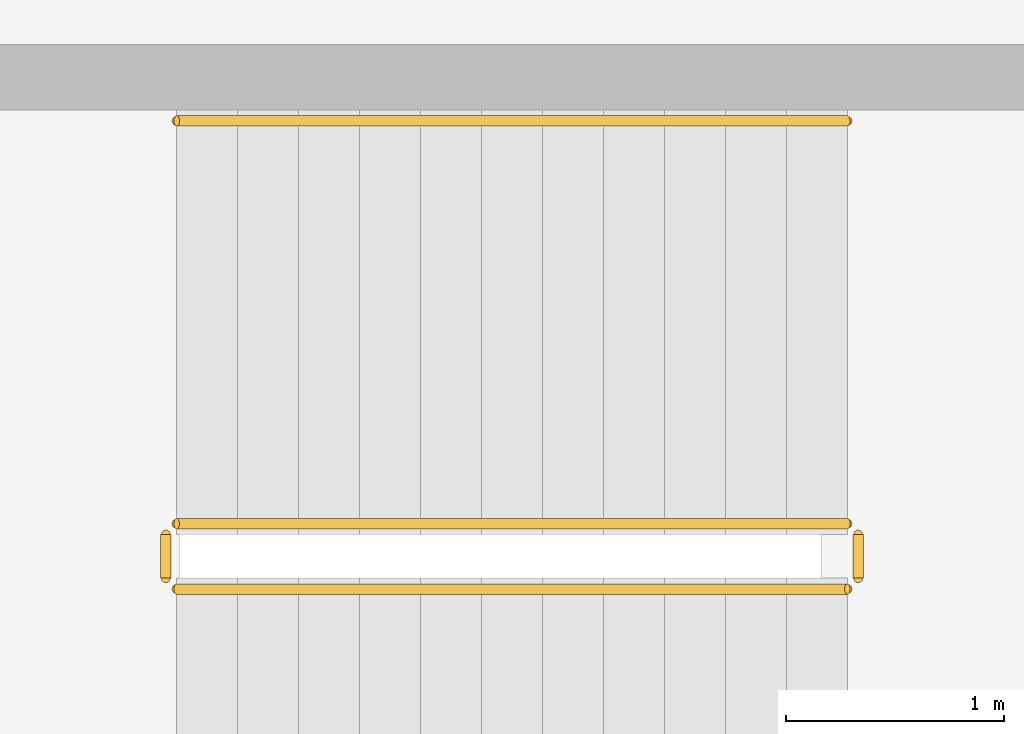
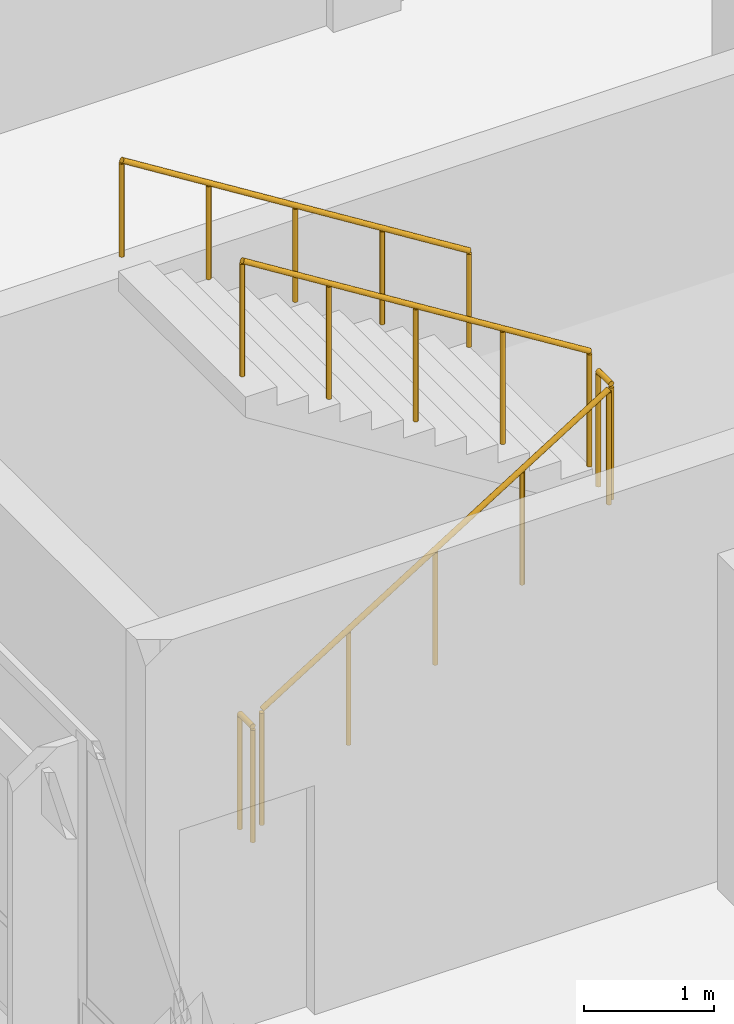
# One storey, part 107 of 107: 5 railings.
"""IFC4 building model written with IfcOpenShell, lengths in metres."""

from ifc_helpers import new_model, si_unit, direction, frame, origin, origin_2d, place, context, subcontext, project, spatial, circle, extrude, material, layer, layer_set, type_object, element, save


model = new_model("IFC4")

# Units and contexts
model_context = context("Model", 3, precision=1e-05, world=origin(), true_north=direction((0.0, 1.0)))
body_context = subcontext(model_context, "Body", "Model", "MODEL_VIEW")
ifc_project = project(units=[si_unit("LENGTHUNIT", "METRE"), si_unit("AREAUNIT", "SQUARE_METRE"), si_unit("VOLUMEUNIT", "CUBIC_METRE"), si_unit("PLANEANGLEUNIT", "RADIAN"), si_unit("MASSUNIT", "GRAM", prefix="KILO")], contexts=[model_context])

# Site, building, storey
site_placement = place(None, origin())
site = spatial("IfcSite", under=ifc_project, at=site_placement, CompositionType="ELEMENT")
building_placement = place(site_placement, origin())
building = spatial("IfcBuilding", under=site, at=building_placement, Name="Chiffa Square Polytechnic", CompositionType="ELEMENT")
storey_placement = place(building_placement, frame((0.0, 0.0, 13.800048828125)))
storey = spatial("IfcBuildingStorey", under=building, at=storey_placement, Name="L03", CompositionType="ELEMENT", Elevation=13.800048828125)

# Railings
ifc_material = material(Name="Steel S355", Category="steel")
ifc_layer_1 = layer(ifc_material, 0.050048828125, Name="Steel S355")
ifc_layer_set_1 = layer_set([ifc_layer_1], Name="Steel S355")
railing_type_1 = type_object("IfcRailingType", Name="RL-STAIR-GUARD", PredefinedType="GUARDRAIL", material=ifc_layer_set_1)
railing_1_placement = place(storey_placement, frame((151.0, 48.0, 0.175048828125)))
element("IfcRailing", 1, at=railing_1_placement, inside=storey, type_object=railing_type_1, Name="L03 ST-V1B stair guard 1", PredefinedType="GUARDRAIL", context=body_context, shape_type="SweptSolid", body=[
    extrude(circle(Radius=0.02392578125, at=origin_2d()), frame((0.0, 0.0, 1.076171875), z_axis=(0.848028513186, 0.0, 0.529950602248), x_axis=(0.0, 1.0, 0.0)), (0.0, 0.0, 1.0), 3.632080078125),
    extrude(circle(Radius=0.02099609375, at=origin_2d()), origin(), (0.0, 0.0, 1.0), 1.052001953125),
    extrude(circle(Radius=0.02099609375, at=origin_2d()), frame((0.77001953125, 0.0, 0.481201171875)), (0.0, 0.0, 1.0), 1.052001953125),
    extrude(circle(Radius=0.02099609375, at=origin_2d()), frame((1.5400390625, 0.0, 0.96240234375)), (0.0, 0.0, 1.0), 1.052001953125),
    extrude(circle(Radius=0.02099609375, at=origin_2d()), frame((2.31005859375, 0.0, 1.443603515625)), (0.0, 0.0, 1.0), 1.052001953125),
    extrude(circle(Radius=0.02099609375, at=origin_2d()), frame((3.080078125, 0.0, 1.9248046875)), (0.0, 0.0, 1.0), 1.052001953125),
])
railing_2_placement = place(storey_placement, frame((154.1298828125, 48.050048828125, 2.099853515625)))
element("IfcRailing", 2, at=railing_2_placement, inside=storey, type_object=railing_type_1, Name="L03 ST-V1B stair guard 2", PredefinedType="GUARDRAIL", context=body_context, shape_type="SweptSolid", body=[
    extrude(circle(Radius=0.02392578125, at=origin_2d()), frame((0.0, 0.0, 1.076171875), z_axis=(0.0, 1.0, 0.0), x_axis=(-1.0, 0.0, 0.0)), (0.0, 0.0, 1.0), 0.199951171875),
    extrude(circle(Radius=0.02099609375, at=origin_2d()), origin(), (0.0, 0.0, 1.0), 1.052001953125),
    extrude(circle(Radius=0.02099609375, at=origin_2d()), frame((0.0, 0.199951171875, 0.0)), (0.0, 0.0, 1.0), 1.052001953125),
])
railing_3_placement = place(storey_placement, frame((154.080078125, 48.300048828125, 2.27490234375)))
element("IfcRailing", 3, at=railing_3_placement, inside=storey, type_object=railing_type_1, Name="L03 ST-V1B stair guard 3", PredefinedType="GUARDRAIL", context=body_context, shape_type="SweptSolid", body=[
    extrude(circle(Radius=0.02392578125, at=origin_2d()), frame((0.0, 0.0, 1.076171875), z_axis=(-0.847998304005, 0.0, 0.529998940003), x_axis=(0.0, -1.0, 0.0)), (0.0, 0.0, 1.0), 3.632080078125),
    extrude(circle(Radius=0.02099609375, at=origin_2d()), origin(), (0.0, 0.0, 1.0), 1.052001953125),
    extrude(circle(Radius=0.02099609375, at=origin_2d()), frame((-0.77001953125, 0.0, 0.481201171875)), (0.0, 0.0, 1.0), 1.052001953125),
    extrude(circle(Radius=0.02099609375, at=origin_2d()), frame((-1.5400390625, 0.0, 0.96240234375)), (0.0, 0.0, 1.0), 1.052001953125),
    extrude(circle(Radius=0.02099609375, at=origin_2d()), frame((-2.31005859375, 0.0, 1.44384765625)), (0.0, 0.0, 1.0), 1.052001953125),
    extrude(circle(Radius=0.02099609375, at=origin_2d()), frame((-3.080078125, 0.0, 1.925048828125)), (0.0, 0.0, 1.0), 1.052001953125),
])
railing_4_placement = place(storey_placement, frame((150.949951171875, 48.050048828125, 0.0)))
element("IfcRailing", 4, at=railing_4_placement, inside=storey, type_object=railing_type_1, Name="L03 ST-V1B stair guard 4", PredefinedType="GUARDRAIL", context=body_context, shape_type="SweptSolid", body=[
    extrude(circle(Radius=0.02392578125, at=origin_2d()), frame((0.0, 0.0, 1.076171875), z_axis=(0.0, 1.0, 0.0), x_axis=(-1.0, 0.0, 0.0)), (0.0, 0.0, 1.0), 0.199951171875),
    extrude(circle(Radius=0.02099609375, at=origin_2d()), origin(), (0.0, 0.0, 1.0), 1.052001953125),
    extrude(circle(Radius=0.02099609375, at=origin_2d()), frame((0.0, 0.199951171875, 0.0)), (0.0, 0.0, 1.0), 1.052001953125),
])
ifc_layer_2 = layer(ifc_material, 0.044921875, Name="Steel S355")
ifc_layer_set_2 = layer_set([ifc_layer_2], Name="Steel S355")
railing_type_2 = type_object("IfcRailingType", Name="RL-STAIR-HAND", PredefinedType="HANDRAIL", material=ifc_layer_set_2)
railing_5_placement = place(storey_placement, frame((154.080078125, 50.14990234375, 2.27490234375)))
element("IfcRailing", 5, at=railing_5_placement, inside=storey, type_object=railing_type_2, Name="L03 ST-V1B stair handrail 2", PredefinedType="HANDRAIL", context=body_context, shape_type="SweptSolid", body=[
    extrude(circle(Radius=0.02392578125, at=origin_2d()), frame((0.0, 0.0, 0.89599609375), z_axis=(-0.847998304005, 0.0, 0.529998940003), x_axis=(0.0, -1.0, 0.0)), (0.0, 0.0, 1.0), 3.632080078125),
    extrude(circle(Radius=0.02099609375, at=origin_2d()), origin(), (0.0, 0.0, 1.0), 0.871826171875),
    extrude(circle(Radius=0.02099609375, at=origin_2d()), frame((-0.77001953125, 0.0, 0.481201171875)), (0.0, 0.0, 1.0), 0.871826171875),
    extrude(circle(Radius=0.02099609375, at=origin_2d()), frame((-1.5400390625, 0.0, 0.96240234375)), (0.0, 0.0, 1.0), 0.871826171875),
    extrude(circle(Radius=0.02099609375, at=origin_2d()), frame((-2.31005859375, 0.0, 1.44384765625)), (0.0, 0.0, 1.0), 0.871826171875),
    extrude(circle(Radius=0.02099609375, at=origin_2d()), frame((-3.080078125, 0.0, 1.925048828125)), (0.0, 0.0, 1.0), 0.871826171875),
])

save(model, "model.ifc")
